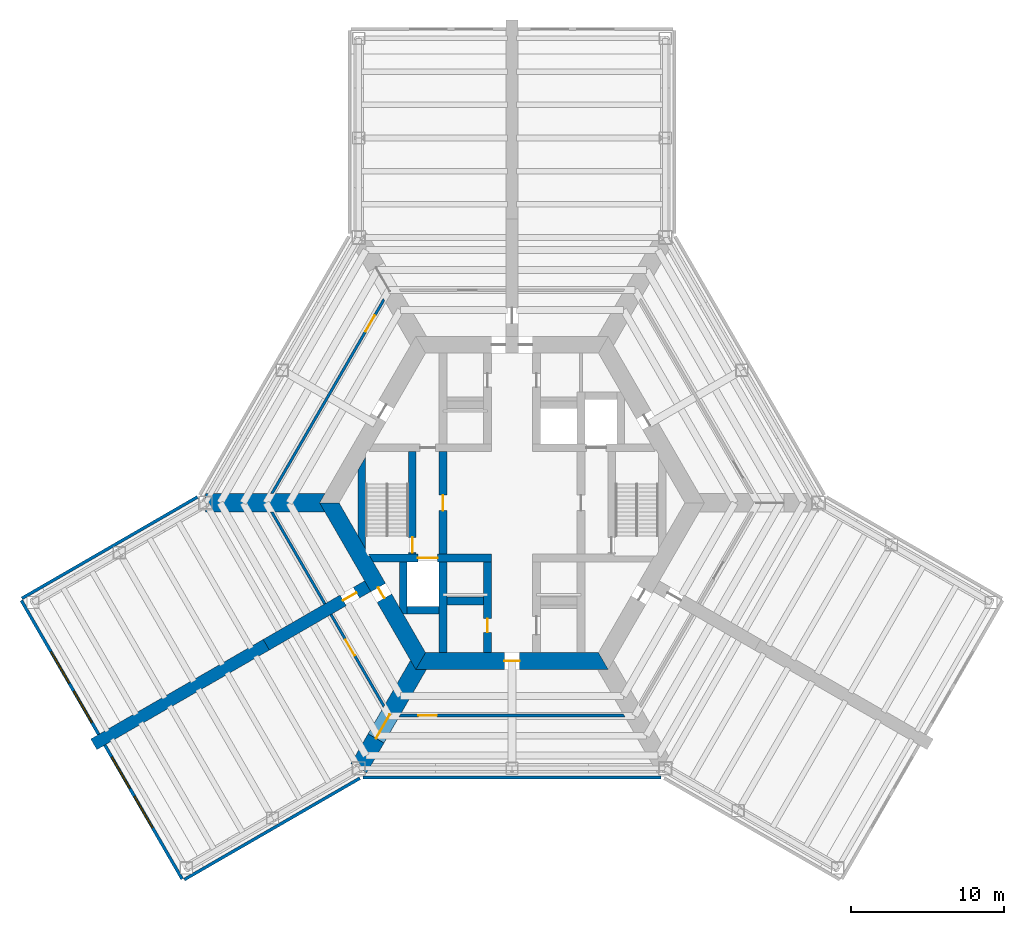
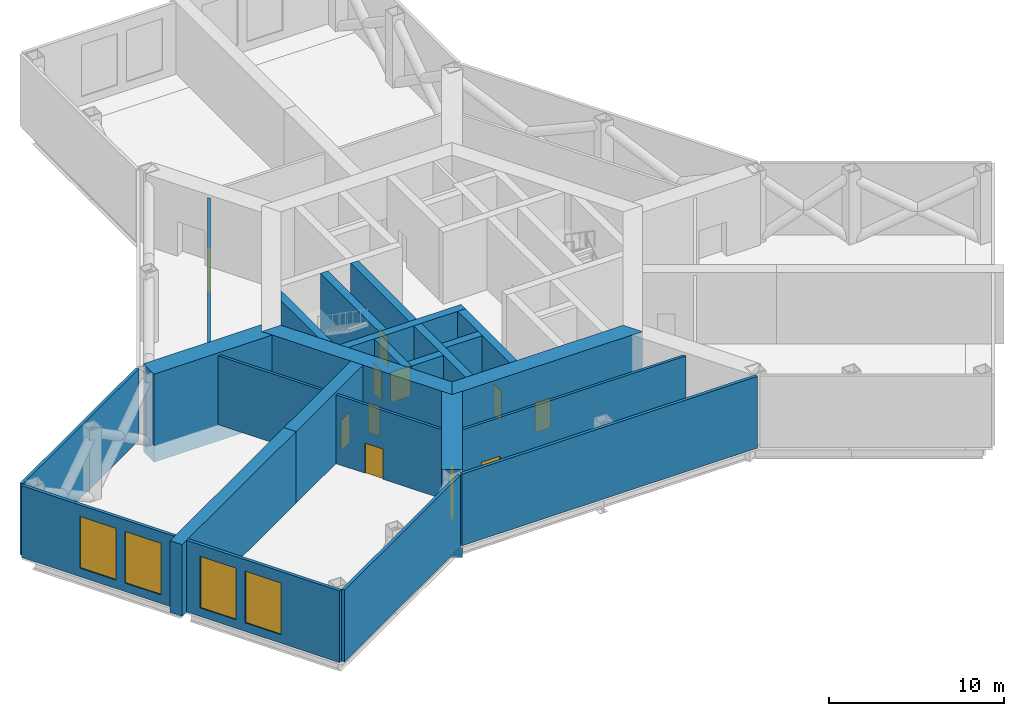
# One storey, part 4 of 8: 24 walls, 11 doors, 4 windows, 15 openings.
"""IFC4 building model written with IfcOpenShell, lengths in metres."""

import ifcopenshell
import ifcopenshell.guid

model = None  # the IFC model being written
_history = None  # IfcOwnerHistory: only IFC2X3 demands one
_inside = {}  # id of a spatial element -> (the spatial element, [elements in it])
_under = {}  # id of a project, library or spatial element -> (it, [spatial elements below it])
_declared = {}  # id of a project -> (the project, [libraries it declares])
_typed = {}  # id of a type object -> (the type object, [elements of that type])
_made_of = {}  # id of a material, layer set ... -> (it, [elements and type objects made of it])


def new_model(schema):
    """Start an empty IFC model of exactly this schema.

    Asked for "IFC4X3", IfcOpenShell would pick the latest addendum, in which some entities
    have other attributes; the version numbers below select the first issue.
    IFC2X3 requires an IfcOwnerHistory on every rooted entity: one is made here for all.
    """
    global model, _history
    if schema == "IFC4X3":
        model = ifcopenshell.file(schema_version=(4, 3, 0, 0))
    else:
        model = ifcopenshell.file(schema=schema)
    _inside.clear()
    _under.clear()
    _declared.clear()
    _typed.clear()
    _made_of.clear()
    _history = None
    if model.schema == "IFC2X3":
        org = make("IfcOrganization", Name="unknown")
        user = make(
            "IfcPersonAndOrganization",
            ThePerson=make("IfcPerson", FamilyName="unknown"),
            TheOrganization=org,
        )
        app = make(
            "IfcApplication",
            ApplicationDeveloper=org,
            Version="unknown",
            ApplicationFullName="unknown",
            ApplicationIdentifier="unknown",
        )
        _history = make(
            "IfcOwnerHistory",
            OwningUser=user,
            OwningApplication=app,
            ChangeAction="ADDED",
            CreationDate=0,
        )
    return model


def make(cls, **values):
    """One entity of the class cls with the attributes given. An attribute that is None is left unset."""
    return model.create_entity(
        cls, **{name: value for name, value in values.items() if value is not None}
    )


def rooted(cls, **values):
    """An entity with a GlobalId (a new one), such as an element, a storey or a relation."""
    return make(cls, GlobalId=ifcopenshell.guid.new(), OwnerHistory=_history, **values)


def si_unit(unit_type, name, prefix=None):
    """IfcSIUnit, for example si_unit("LENGTHUNIT", "METRE", prefix="MILLI")."""
    return make("IfcSIUnit", UnitType=unit_type, Prefix=prefix, Name=name)


def assignment(units):
    """IfcUnitAssignment: the units of a project."""
    return None if units is None else make("IfcUnitAssignment", Units=units)


def point(xyz):
    """IfcCartesianPoint."""
    return None if xyz is None else make("IfcCartesianPoint", Coordinates=xyz)


def direction(xyz):
    """IfcDirection."""
    return None if xyz is None else make("IfcDirection", DirectionRatios=xyz)


def frame(location, z_axis=None, x_axis=None):
    """IfcAxis2Placement3D, a coordinate frame: its origin and axes. An axis left out is left unset."""
    return make(
        "IfcAxis2Placement3D",
        Location=point(location),
        Axis=direction(z_axis),
        RefDirection=direction(x_axis),
    )


def frame_2d(location, x_axis=None):
    """IfcAxis2Placement2D, a coordinate frame in the plane: its origin and x axis."""
    return make(
        "IfcAxis2Placement2D", Location=point(location), RefDirection=direction(x_axis)
    )


def origin():
    """The frame at (0, 0, 0) with its axes left unset."""
    return frame((0.0, 0.0, 0.0))


def place(relative_to, where):
    """IfcLocalPlacement: puts the frame where relative to a parent placement (None: the world)."""
    return make(
        "IfcLocalPlacement", PlacementRelTo=relative_to, RelativePlacement=where
    )


def context(
    kind, dimensions, precision=None, world=None, true_north=None, identifier=None
):
    """IfcGeometricRepresentationContext, for example the 3D "Model" context."""
    return make(
        "IfcGeometricRepresentationContext",
        ContextIdentifier=identifier,
        ContextType=kind,
        CoordinateSpaceDimension=dimensions,
        Precision=precision,
        WorldCoordinateSystem=world,
        TrueNorth=true_north,
    )


def subcontext(parent, identifier, kind, view, scale=None):
    """IfcGeometricRepresentationSubContext, for example "Body" below "Model"."""
    return make(
        "IfcGeometricRepresentationSubContext",
        ContextIdentifier=identifier,
        ContextType=kind,
        ParentContext=parent,
        TargetScale=scale,
        TargetView=view,
    )


def project(units=None, contexts=None):
    """IfcProject with its units and contexts."""
    return rooted(
        "IfcProject",
        Name="project",
        RepresentationContexts=contexts,
        UnitsInContext=assignment(units),
    )


def spatial(cls, under=None, at=None, **own):
    """A site, building, storey or space (cls), placed at a placement, below another one or the project."""
    s = rooted(cls, ObjectPlacement=at, **own)
    if under is not None:
        _under.setdefault(under.id(), (under, []))[1].append(s)
    return s


def polyline(points):
    """IfcPolyline through the points."""
    return make("IfcPolyline", Points=[point(p) for p in points])


def profile(cls, at=None, kind="AREA", **sizes):
    """A parametric profile (cls). Its sizes go by their IFC names, for example OverallWidth=200.0."""
    return make(cls, ProfileType=kind, Position=at, **sizes)


def rectangle(**sizes):
    """IfcRectangleProfileDef."""
    return profile("IfcRectangleProfileDef", **sizes)


def outline(outer, holes=None, kind="AREA"):
    """IfcArbitraryClosedProfileDef: a profile drawn as a closed curve; with holes, ...WithVoids."""
    if holes is None:
        return make("IfcArbitraryClosedProfileDef", ProfileType=kind, OuterCurve=outer)
    return make(
        "IfcArbitraryProfileDefWithVoids",
        ProfileType=kind,
        OuterCurve=outer,
        InnerCurves=holes,
    )


def extrude(swept, where, along, depth):
    """IfcExtrudedAreaSolid: the profile swept, set in the frame where, extruded along a direction by depth."""
    return make(
        "IfcExtrudedAreaSolid",
        SweptArea=swept,
        Position=where,
        ExtrudedDirection=direction(along),
        Depth=depth,
    )


def shape(context_of_items, identifier, shape_type, items):
    """IfcShapeRepresentation: the items that make up one representation, for example the "Body"."""
    return make(
        "IfcShapeRepresentation",
        ContextOfItems=context_of_items,
        RepresentationIdentifier=identifier,
        RepresentationType=shape_type,
        Items=items,
    )


def material(Name=None, Category=None):
    """IfcMaterial."""
    return make("IfcMaterial", Name=Name, Category=Category)


def layer(
    of_material, thickness, ventilated=None, Name=None, Category=None, Priority=None
):
    """IfcMaterialLayer: one layer of a wall or slab, of a material (None: an air gap)."""
    return make(
        "IfcMaterialLayer",
        Material=of_material,
        LayerThickness=thickness,
        IsVentilated=ventilated,
        Name=Name,
        Category=Category,
        Priority=Priority,
    )


def layer_set(layers, Name=None):
    """IfcMaterialLayerSet."""
    return make("IfcMaterialLayerSet", MaterialLayers=layers, LayerSetName=Name)


def made_of(thing, what):
    """Note that an element or type object is made of a material, layer set ...; save() writes the relation."""
    if what is not None:
        _made_of.setdefault(what.id(), (what, []))[1].append(thing)
    return thing


def type_object(cls, material=None, **own):
    """A type object (cls), such as IfcWallType, which elements share."""
    return made_of(rooted(cls, **own), material)


def element(
    cls,
    number,
    at=None,
    inside=None,
    cuts=None,
    type_object=None,
    material=None,
    context=None,
    identifier="Body",
    shape_type=None,
    held_by="IfcProductDefinitionShape",
    body=None,
    shapes=None,
    **own,
):
    """One element of the class cls, such as IfcWall. Its Tag is "e" and its number.

    at: its placement. inside: the storey or other place that contains it. cuts: it is an
    opening in that element (IfcRelVoidsElement). A single representation is given by context,
    identifier, shape_type and body (its items); several are given by shapes. held_by: the class
    of the entity that holds the representations. save() writes the other relations.
    """
    e = rooted(cls, Tag="e%d" % number, ObjectPlacement=at, **own)
    if body is not None:
        shapes = [shape(context, identifier, shape_type, body)]
    if shapes is not None:
        e.Representation = make(held_by, Representations=shapes)
    if inside is not None:
        _inside.setdefault(inside.id(), (inside, []))[1].append(e)
    if cuts is not None:
        rooted(
            "IfcRelVoidsElement", RelatingBuildingElement=cuts, RelatedOpeningElement=e
        )
    if type_object is not None:
        _typed.setdefault(type_object.id(), (type_object, []))[1].append(e)
    return made_of(e, material)


def fill(opening, filler):
    """IfcRelFillsElement: the door or window that sits in an opening."""
    return rooted(
        "IfcRelFillsElement",
        RelatingOpeningElement=opening,
        RelatedBuildingElement=filler,
    )


def aggregate(whole, parts):
    """IfcRelAggregates: a whole, such as a stair, and the parts it consists of."""
    return rooted("IfcRelAggregates", RelatingObject=whole, RelatedObjects=parts)


def save(model, path):
    """Write the relations noted so far, then the file.

    IfcRelAggregates (storeys below a building ...), IfcRelContainedInSpatialStructure (elements
    in a storey), IfcRelDefinesByType, IfcRelAssociatesMaterial and IfcRelDeclares: one each for
    every whole, place, type object, material and project.
    """
    for whole, parts in _under.values():
        aggregate(whole, parts)
    for where, things in _inside.values():
        rooted(
            "IfcRelContainedInSpatialStructure",
            RelatedElements=things,
            RelatingStructure=where,
        )
    for kind, things in _typed.values():
        rooted("IfcRelDefinesByType", RelatedObjects=things, RelatingType=kind)
    for what, things in _made_of.values():
        rooted("IfcRelAssociatesMaterial", RelatedObjects=things, RelatingMaterial=what)
    for by, libraries in _declared.values():
        rooted("IfcRelDeclares", RelatingContext=by, RelatedDefinitions=libraries)
    model.write(path)


model = new_model("IFC4")

# Units and contexts
model_context = context("Model", 3, precision=1e-05, world=origin(), true_north=direction((0.0, 1.0)))
body_context = subcontext(model_context, "Body", "Model", "MODEL_VIEW")
ifc_project = project(units=[si_unit("LENGTHUNIT", "METRE"), si_unit("AREAUNIT", "SQUARE_METRE"), si_unit("VOLUMEUNIT", "CUBIC_METRE"), si_unit("PLANEANGLEUNIT", "RADIAN"), si_unit("MASSUNIT", "GRAM", prefix="KILO")], contexts=[model_context])

# Site, building, storey
site_placement = place(None, origin())
site = spatial("IfcSite", under=ifc_project, at=site_placement, CompositionType="ELEMENT")
building_placement = place(site_placement, origin())
building = spatial("IfcBuilding", under=site, at=building_placement, Name="Kasaneha Research Tower", CompositionType="ELEMENT")
storey_placement = place(building_placement, frame((0.0, 0.0, 123.60009765625)))
storey = spatial("IfcBuildingStorey", under=building, at=storey_placement, Name="L31", CompositionType="ELEMENT", Elevation=123.60009765625)

# Wall, opening, door
ifc_material_1 = material(Name="Concrete Fc80", Category="concrete")
ifc_layer_1 = layer(ifc_material_1, 0.5)
ifc_layer_set_1 = layer_set([ifc_layer_1], Name="Core internal wall 500 Fc80")
wall_type_1 = type_object("IfcWallType", Name="Core internal wall 500 Fc80", PredefinedType="SHEAR", material=ifc_layer_set_1)
wall_1_placement = place(storey_placement, frame((-9.208740234375, -3.60009765625, 0.0), z_axis=(0.0, 0.0, 1.0), x_axis=(1.0, 0.0, 0.0)))
wall_1 = element("IfcWall", 1, at=wall_1_placement, inside=storey, type_object=wall_type_1, Name="Core wall W2W L31", PredefinedType="SHEAR", context=body_context, shape_type="SweptSolid", body=[
    extrude(outline(polyline([(0.144287109375, -0.25), (3.058837890625, -0.25), (4.35888671875, -0.25), (7.858642578125, -0.25), (7.858642578125, 0.25), (4.35888671875, 0.25), (3.058837890625, 0.25), (-0.144287109375, 0.25), (0.144287109375, -0.25)])), origin(), (0.0, 0.0, 1.0), 5.0),
])
opening_1_placement = place(wall_1_placement, frame((3.058837890625, 0.0, 0.0)))
opening_1 = element("IfcOpeningElement", 2, at=opening_1_placement, cuts=wall_1, Name="Opening LD-FL2-L31", PredefinedType="OPENING", context=body_context, shape_type="SweptSolid", body=[
    extrude(rectangle(XDim=1.300048828125, YDim=2.10009765625, at=frame_2d((0.64990234375, 1.050048828125))), frame((0.0, 0.260009765625, 0.0), z_axis=(0.0, -1.0, 0.0), x_axis=(1.0, 0.0, 0.0)), (0.0, 0.0, 1.0), 0.52001953125),
])
ifc_material_2 = material(Name="Steel", Category="steel")
door_type_1 = type_object("IfcDoorType", Name="Lift landing door 1300x2100", OperationType="DOUBLE_DOOR_SLIDING", PredefinedType="DOOR", material=ifc_material_2)
door_1_placement = place(opening_1_placement, origin())
door_1 = element("IfcDoor", 3, at=door_1_placement, inside=storey, type_object=door_type_1, Name="Landing door FL2 LD-FL2-L31", OperationType="DOUBLE_DOOR_SLIDING", OverallHeight=2.10009765625, OverallWidth=1.300048828125, PredefinedType="DOOR", context=body_context, shape_type="SweptSolid", body=[
    extrude(rectangle(XDim=1.300048828125, YDim=2.10009765625, at=frame_2d((0.64990234375, 1.050048828125))), frame((0.0, 0.02490234375, 0.0), z_axis=(0.0, -1.0, 0.0), x_axis=(1.0, 0.0, 0.0)), (0.0, 0.0, 1.0), 0.050048828125),
])
fill(opening_1, door_1)

wall_2_placement = place(storey_placement, frame((-1.60009765625, -3.85009765625, 0.0), z_axis=(0.0, 0.0, 1.0), x_axis=(0.0, -1.0, 0.0)))
wall_2 = element("IfcWall", 4, at=wall_2_placement, inside=storey, type_object=wall_type_1, Name="Core wall CSW L31", PredefinedType="SHEAR", context=body_context, shape_type="SweptSolid", body=[
    extrude(rectangle(XDim=5.9248046875, YDim=0.5, at=frame_2d((2.96240234375, 0.0))), origin(), (0.0, 0.0, 1.0), 5.0),
])
opening_2_placement = place(wall_2_placement, frame((3.699951171875, 0.0, 0.0)))
opening_2 = element("IfcOpeningElement", 5, at=opening_2_placement, cuts=wall_2, Name="Opening L31-D16", PredefinedType="OPENING", context=body_context, shape_type="SweptSolid", body=[
    extrude(rectangle(XDim=0.89990234375, YDim=2.10009765625, at=frame_2d((0.449951171875, 1.050048828125))), frame((0.0, 0.260009765625, 0.0), z_axis=(0.0, -1.0, 0.0), x_axis=(1.0, 0.0, 0.0)), (0.0, 0.0, 1.0), 0.52001953125),
])
ifc_material_3 = material(Name="Steel", Category="steel")
door_type_2 = type_object("IfcDoorType", Name="Riser access door FD60 900x2100", OperationType="NOTDEFINED", PredefinedType="DOOR", material=ifc_material_3)
door_2_placement = place(opening_2_placement, origin())
door_2 = element("IfcDoor", 6, at=door_2_placement, inside=storey, type_object=door_type_2, Name="Electrical riser door L31-D16", OperationType="SINGLE_SWING_LEFT", OverallHeight=2.10009765625, OverallWidth=0.89990234375, PredefinedType="DOOR", context=body_context, shape_type="SweptSolid", body=[
    extrude(rectangle(XDim=0.89990234375, YDim=2.10009765625, at=frame_2d((0.449951171875, 1.050048828125))), frame((0.0, 0.02490234375, 0.0), z_axis=(0.0, -1.0, 0.0), x_axis=(1.0, 0.0, 0.0)), (0.0, 0.0, 1.0), 0.050048828125),
])
fill(opening_2, door_2)

wall_3_placement = place(storey_placement, frame((-4.5, -3.35009765625, 0.0), z_axis=(0.0, 0.0, 1.0), x_axis=(0.0, 1.0, 0.0)))
wall_3 = element("IfcWall", 7, at=wall_3_placement, inside=storey, type_object=wall_type_1, Name="Core wall LBW L31", PredefinedType="SHEAR", context=body_context, shape_type="SweptSolid", body=[
    extrude(rectangle(XDim=6.7001953125, YDim=0.5, at=frame_2d((3.35009765625, 0.0))), origin(), (0.0, 0.0, 1.0), 5.0),
])
opening_3_placement = place(wall_3_placement, frame((2.85009765625, 0.0, 0.0)))
opening_3 = element("IfcOpeningElement", 8, at=opening_3_placement, cuts=wall_3, Name="Opening L31-D09", PredefinedType="OPENING", context=body_context, shape_type="SweptSolid", body=[
    extrude(rectangle(XDim=1.0, YDim=2.10009765625, at=frame_2d((0.5, 1.050048828125))), frame((0.0, 0.260009765625, 0.0), z_axis=(0.0, -1.0, 0.0), x_axis=(1.0, 0.0, 0.0)), (0.0, 0.0, 1.0), 0.52001953125),
])
ifc_material_4 = material(Name="Steel", Category="steel")
door_type_3 = type_object("IfcDoorType", Name="Specified fire door FD60 1000x2100", OperationType="NOTDEFINED", PredefinedType="DOOR", material=ifc_material_4)
door_3_placement = place(opening_3_placement, origin())
door_3 = element("IfcDoor", 9, at=door_3_placement, inside=storey, type_object=door_type_3, Name="Lift lobby door west L31-D09", OperationType="SINGLE_SWING_LEFT", OverallHeight=2.10009765625, OverallWidth=1.0, PredefinedType="DOOR", context=body_context, shape_type="SweptSolid", body=[
    extrude(rectangle(XDim=1.0, YDim=2.10009765625, at=frame_2d((0.5, 1.050048828125))), frame((0.0, 0.02490234375, 0.0), z_axis=(0.0, -1.0, 0.0), x_axis=(1.0, 0.0, 0.0)), (0.0, 0.0, 1.0), 0.050048828125),
])
fill(opening_3, door_3)

wall_4_placement = place(storey_placement, frame((-6.5, -3.35009765625, 0.0), z_axis=(0.0, 0.0, 1.0), x_axis=(0.0, 1.0, 0.0)))
wall_4 = element("IfcWall", 10, at=wall_4_placement, inside=storey, type_object=wall_type_1, Name="Core wall ANW L31", PredefinedType="SHEAR", context=body_context, shape_type="SweptSolid", body=[
    extrude(rectangle(XDim=6.7001953125, YDim=0.5, at=frame_2d((3.35009765625, 0.0))), origin(), (0.0, 0.0, 1.0), 5.0),
])
opening_4_placement = place(wall_4_placement, frame((0.10009765625, 0.0, 0.0)))
opening_4 = element("IfcOpeningElement", 11, at=opening_4_placement, cuts=wall_4, Name="Opening L31-D11", PredefinedType="OPENING", context=body_context, shape_type="SweptSolid", body=[
    extrude(rectangle(XDim=1.0, YDim=2.10009765625, at=frame_2d((0.5, 1.050048828125))), frame((0.0, 0.260009765625, 0.0), z_axis=(0.0, -1.0, 0.0), x_axis=(1.0, 0.0, 0.0)), (0.0, 0.0, 1.0), 0.52001953125),
])
door_4_placement = place(opening_4_placement, origin())
door_4 = element("IfcDoor", 12, at=door_4_placement, inside=storey, type_object=door_type_3, Name="Stair 2 door L31-D11", OperationType="SINGLE_SWING_LEFT", OverallHeight=2.10009765625, OverallWidth=1.0, PredefinedType="DOOR", context=body_context, shape_type="SweptSolid", body=[
    extrude(rectangle(XDim=1.0, YDim=2.10009765625, at=frame_2d((0.5, 1.050048828125))), frame((0.0, 0.02490234375, 0.0), z_axis=(0.0, -1.0, 0.0), x_axis=(1.0, 0.0, 0.0)), (0.0, 0.0, 1.0), 0.050048828125),
])
fill(opening_4, door_4)

# Walls
wall_5_placement = place(storey_placement, frame((-4.5, -3.85009765625, 0.0), z_axis=(0.0, 0.0, 1.0), x_axis=(0.0, -1.0, 0.0)))
element("IfcWall", 13, at=wall_5_placement, inside=storey, type_object=wall_type_1, Name="Core wall SSW L31", PredefinedType="SHEAR", context=body_context, shape_type="SweptSolid", body=[
    extrude(rectangle(XDim=5.9248046875, YDim=0.5, at=frame_2d((2.96240234375, 0.0))), origin(), (0.0, 0.0, 1.0), 5.0),
])
wall_6_placement = place(storey_placement, frame((-4.25, -6.39990234375, 0.0), z_axis=(0.0, 0.0, 1.0), x_axis=(1.0, 0.0, 0.0)))
element("IfcWall", 14, at=wall_6_placement, inside=storey, type_object=wall_type_1, Name="Core wall S1S L31", PredefinedType="SHEAR", context=body_context, shape_type="SweptSolid", body=[
    extrude(rectangle(XDim=2.39990234375, YDim=0.5, at=frame_2d((1.199951171875, 0.0))), origin(), (0.0, 0.0, 1.0), 5.0),
])
wall_7_placement = place(storey_placement, frame((-6.85009765625, -7.0, 0.0), z_axis=(0.0, 0.0, 1.0), x_axis=(1.0, 0.0, 0.0)))
element("IfcWall", 15, at=wall_7_placement, inside=storey, type_object=wall_type_1, Name="Core wall F2S L31", PredefinedType="SHEAR", context=body_context, shape_type="SweptSolid", body=[
    extrude(rectangle(XDim=2.10009765625, YDim=0.5, at=frame_2d((1.050048828125, 0.0))), origin(), (0.0, 0.0, 1.0), 5.0),
])
wall_8_placement = place(storey_placement, frame((-7.10009765625, -3.85009765625, 0.0), z_axis=(0.0, 0.0, 1.0), x_axis=(0.0, -1.0, 0.0)))
element("IfcWall", 16, at=wall_8_placement, inside=storey, type_object=wall_type_1, Name="Core wall F2W L31", PredefinedType="SHEAR", context=body_context, shape_type="SweptSolid", body=[
    extrude(outline(polyline([(0.0, -0.25), (2.96923828125, -0.25), (3.39990234375, 0.0), (3.39990234375, 0.25), (0.0, 0.25), (0.0, -0.25)])), origin(), (0.0, 0.0, 1.0), 5.0),
])
wall_9_placement = place(storey_placement, frame((-9.807861328125, -2.562255859375, 0.0), z_axis=(0.0, 0.0, 1.0), x_axis=(0.0, 1.0, 0.0)))
element("IfcWall", 17, at=wall_9_placement, inside=storey, type_object=wall_type_1, Name="Core wall STW L31", PredefinedType="SHEAR", context=body_context, shape_type="SweptSolid", body=[
    extrude(outline(polyline([(-0.43310546875, -0.25), (5.5576171875, -0.25), (4.69140625, 0.25), (0.43310546875, 0.25), (-0.43310546875, -0.25)])), origin(), (0.0, 0.0, 1.0), 5.0),
])

# Wall, opening, door
ifc_material_5 = material(Name="Concrete Fc80", Category="concrete")
ifc_layer_2 = layer(ifc_material_5, 1.10009765625)
ifc_layer_set_2 = layer_set([ifc_layer_2], Name="Core wall 1100 Fc80")
wall_type_2 = type_object("IfcWallType", Name="Core wall 1100 Fc80", PredefinedType="SHEAR", material=ifc_layer_set_2)
wall_10_placement = place(storey_placement, frame((-11.92236328125, 0.0, 0.0), z_axis=(0.0, 0.0, 1.0), x_axis=(0.500004296715, -0.866022923061, 0.0)))
wall_10 = element("IfcWall", 18, at=wall_10_placement, inside=storey, type_object=wall_type_2, Name="Core wall 210 L31", PredefinedType="SHEAR", context=body_context, shape_type="SweptSolid", body=[
    extrude(outline(polyline([(-0.317626953125, -0.550048828125), (6.381103515625, -0.550048828125), (7.18115234375, -0.550048828125), (12.239990234375, -0.550048828125), (11.604736328125, 0.550048828125), (7.18115234375, 0.550048828125), (6.381103515625, 0.550048828125), (0.317626953125, 0.550048828125), (-0.317626953125, -0.550048828125)])), origin(), (0.0, 0.0, 1.0), 5.0),
])
opening_5_placement = place(wall_10_placement, frame((6.381103515625, 0.0, 0.0)))
opening_5 = element("IfcOpeningElement", 19, at=opening_5_placement, cuts=wall_10, Name="Opening L31-D06", PredefinedType="OPENING", context=body_context, shape_type="SweptSolid", body=[
    extrude(rectangle(XDim=0.800048828125, YDim=2.10009765625, at=frame_2d((0.39990234375, 1.050048828125))), frame((0.0, 0.56005859375, 0.0), z_axis=(0.0, -1.0, 0.0), x_axis=(1.0, 0.0, 0.0)), (0.0, 0.0, 1.0), 1.1201171875),
])
ifc_material_6 = material(Name="Steel", Category="steel")
door_type_4 = type_object("IfcDoorType", Name="Riser access door FD60 800x2100", OperationType="NOTDEFINED", PredefinedType="DOOR", material=ifc_material_6)
door_5_placement = place(opening_5_placement, origin())
door_5 = element("IfcDoor", 20, at=door_5_placement, inside=storey, type_object=door_type_4, Name="Duct riser door L31-D06", OperationType="SINGLE_SWING_RIGHT", OverallHeight=2.10009765625, OverallWidth=0.800048828125, PredefinedType="DOOR", context=body_context, shape_type="SweptSolid", body=[
    extrude(rectangle(XDim=0.800048828125, YDim=2.10009765625, at=frame_2d((0.39990234375, 1.050048828125))), frame((0.0, 0.02490234375, 0.0), z_axis=(0.0, -1.0, 0.0), x_axis=(1.0, 0.0, 0.0)), (0.0, 0.0, 1.0), 0.050048828125),
])
fill(opening_5, door_5)

wall_11_placement = place(storey_placement, frame((-5.961181640625, -10.324951171875, 0.0), z_axis=(0.0, 0.0, 1.0), x_axis=(1.0, 0.0, 0.0)))
wall_11 = element("IfcWall", 21, at=wall_11_placement, inside=storey, type_object=wall_type_2, Name="Core wall 270 L31", PredefinedType="SHEAR", context=body_context, shape_type="SweptSolid", body=[
    extrude(outline(polyline([(-0.317626953125, -0.550048828125), (5.461181640625, -0.550048828125), (6.461181640625, -0.550048828125), (12.239990234375, -0.550048828125), (11.604736328125, 0.550048828125), (6.461181640625, 0.550048828125), (5.461181640625, 0.550048828125), (0.317626953125, 0.550048828125), (-0.317626953125, -0.550048828125)])), origin(), (0.0, 0.0, 1.0), 5.0),
])
opening_6_placement = place(wall_11_placement, frame((5.461181640625, 0.0, 0.0)))
opening_6 = element("IfcOpeningElement", 22, at=opening_6_placement, cuts=wall_11, Name="Opening L31-D03", PredefinedType="OPENING", context=body_context, shape_type="SweptSolid", body=[
    extrude(rectangle(XDim=1.0, YDim=2.10009765625, at=frame_2d((0.5, 1.050048828125))), frame((0.0, 0.56005859375, 0.0), z_axis=(0.0, -1.0, 0.0), x_axis=(1.0, 0.0, 0.0)), (0.0, 0.0, 1.0), 1.1201171875),
])
ifc_material_7 = material(Name="Steel", Category="steel")
door_type_5 = type_object("IfcDoorType", Name="Fire door FD20 1000x2100", OperationType="NOTDEFINED", PredefinedType="DOOR", material=ifc_material_7)
door_6_placement = place(opening_6_placement, origin())
door_6 = element("IfcDoor", 23, at=door_6_placement, inside=storey, type_object=door_type_5, Name="Core door south L31-D03", OperationType="SINGLE_SWING_LEFT", OverallHeight=2.10009765625, OverallWidth=1.0, PredefinedType="DOOR", context=body_context, shape_type="SweptSolid", body=[
    extrude(rectangle(XDim=1.0, YDim=2.10009765625, at=frame_2d((0.5, 1.050048828125))), frame((0.0, 0.02490234375, 0.0), z_axis=(0.0, -1.0, 0.0), x_axis=(1.0, 0.0, 0.0)), (0.0, 0.0, 1.0), 0.050048828125),
])
fill(opening_6, door_6)

# Walls
ifc_material_8 = material(Name="Terracotta cladding on steel frame", Category="masonry")
ifc_layer_3 = layer(ifc_material_8, 0.199951171875)
ifc_layer_set_3 = layer_set([ifc_layer_3], Name="Louvred plant wall 200")
wall_type_3 = type_object("IfcWallType", Name="Louvred plant wall 200", PredefinedType="ELEMENTEDWALL", material=ifc_layer_set_3)
wall_12_placement = place(storey_placement, frame((-21.391357421875, -24.590087890625, 0.0), z_axis=(0.0, 0.0, 1.0), x_axis=(0.86602620781, 0.499998607384, 0.0)))
element("IfcWall", 24, at=wall_12_placement, inside=storey, type_object=wall_type_3, Name="Louvred plant wall L31", PredefinedType="ELEMENTEDWALL", context=body_context, shape_type="SweptSolid", body=[
    extrude(rectangle(XDim=13.2392578125, YDim=0.199951171875, at=frame_2d((6.61962890625, 0.0))), origin(), (0.0, 0.0, 1.0), 5.0),
])
wall_13_placement = place(storey_placement, frame((-9.7392578125, -17.92041015625, 0.0), z_axis=(0.0, 0.0, 1.0), x_axis=(1.0, 0.0, 0.0)))
element("IfcWall", 25, at=wall_13_placement, inside=storey, type_object=wall_type_3, Name="Louvred plant wall L31", PredefinedType="ELEMENTEDWALL", context=body_context, shape_type="SweptSolid", body=[
    extrude(rectangle(XDim=19.478515625, YDim=0.199951171875, at=frame_2d((9.7392578125, 0.0))), origin(), (0.0, 0.0, 1.0), 5.0),
])
wall_14_placement = place(storey_placement, frame((-20.52587890625, 0.38916015625, 0.0), z_axis=(0.0, 0.0, 1.0), x_axis=(-0.86602620781, -0.499998607384, 0.0)))
element("IfcWall", 26, at=wall_14_placement, inside=storey, type_object=wall_type_3, Name="Louvred plant wall L31", PredefinedType="ELEMENTEDWALL", context=body_context, shape_type="SweptSolid", body=[
    extrude(rectangle(XDim=13.2392578125, YDim=0.199951171875, at=frame_2d((6.61962890625, 0.0))), origin(), (0.0, 0.0, 1.0), 5.0),
])

# Wall, openings, windows
wall_15_placement = place(storey_placement, frame((-32.02783203125, -6.366943359375, 0.0), z_axis=(0.0, 0.0, 1.0), x_axis=(0.499986799974, -0.866033024689, 0.0)))
wall_15 = element("IfcWall", 27, at=wall_15_placement, inside=storey, type_object=wall_type_3, Name="Louvred plant wall L31", PredefinedType="ELEMENTEDWALL", context=body_context, shape_type="SweptSolid", body=[
    extrude(rectangle(XDim=10.099853515625, YDim=0.199951171875, at=frame_2d((5.0498046875, 0.0))), origin(), (0.0, 0.0, 1.0), 5.0),
])
opening_7_placement = place(wall_15_placement, frame((3.86669921875, 0.0, 0.60009765625)))
opening_7 = element("IfcOpeningElement", 28, at=opening_7_placement, cuts=wall_15, Name="Opening LV2", PredefinedType="OPENING", context=body_context, shape_type="SweptSolid", body=[
    extrude(rectangle(XDim=2.36669921875, YDim=3.60009765625, at=frame_2d((1.183349609375, 1.800048828125))), frame((0.0, 0.10986328125, 0.0), z_axis=(0.0, -1.0, 0.0), x_axis=(1.0, 0.0, 0.0)), (0.0, 0.0, 1.0), 0.219970703125),
])
opening_8_placement = place(wall_15_placement, frame((6.833251953125, 0.0, 0.60009765625)))
opening_8 = element("IfcOpeningElement", 29, at=opening_8_placement, cuts=wall_15, Name="Opening LV2", PredefinedType="OPENING", context=body_context, shape_type="SweptSolid", body=[
    extrude(rectangle(XDim=2.36669921875, YDim=3.60009765625, at=frame_2d((1.183349609375, 1.800048828125))), frame((0.0, 0.10986328125, 0.0), z_axis=(0.0, -1.0, 0.0), x_axis=(1.0, 0.0, 0.0)), (0.0, 0.0, 1.0), 0.219970703125),
])
ifc_material_9 = material(Name="Aluminium 6063-T6", Category="aluminium")
window_type = type_object("IfcWindowType", Name="Louvre 2367x3600", PartitioningType="SINGLE_PANEL", PredefinedType="USERDEFINED", material=ifc_material_9)
window_1_placement = place(opening_7_placement, origin())
window_1 = element("IfcWindow", 30, at=window_1_placement, inside=storey, type_object=window_type, Name="Plant louvre L31 2", ObjectType="LOUVRE", OverallHeight=3.60009765625, OverallWidth=2.36669921875, PartitioningType="SINGLE_PANEL", PredefinedType="USERDEFINED", context=body_context, shape_type="SweptSolid", body=[
    extrude(rectangle(XDim=2.36669921875, YDim=3.60009765625, at=frame_2d((1.183349609375, 1.800048828125))), frame((0.0, 0.030029296875, 0.0), z_axis=(0.0, -1.0, 0.0), x_axis=(1.0, 0.0, 0.0)), (0.0, 0.0, 1.0), 0.06005859375),
])
fill(opening_7, window_1)
window_2_placement = place(opening_8_placement, origin())
window_2 = element("IfcWindow", 31, at=window_2_placement, inside=storey, type_object=window_type, Name="Plant louvre L31 3", ObjectType="LOUVRE", OverallHeight=3.60009765625, OverallWidth=2.36669921875, PartitioningType="SINGLE_PANEL", PredefinedType="USERDEFINED", context=body_context, shape_type="SweptSolid", body=[
    extrude(rectangle(XDim=2.36669921875, YDim=3.60009765625, at=frame_2d((1.183349609375, 1.800048828125))), frame((0.0, 0.030029296875, 0.0), z_axis=(0.0, -1.0, 0.0), x_axis=(1.0, 0.0, 0.0)), (0.0, 0.0, 1.0), 0.06005859375),
])
fill(opening_8, window_2)

wall_16_placement = place(storey_placement, frame((-26.577880859375, -15.806640625, 0.0), z_axis=(0.0, 0.0, 1.0), x_axis=(0.500004929441, -0.866022557752, 0.0)))
wall_16 = element("IfcWall", 32, at=wall_16_placement, inside=storey, type_object=wall_type_3, Name="Louvred plant wall L31", PredefinedType="ELEMENTEDWALL", context=body_context, shape_type="SweptSolid", body=[
    extrude(rectangle(XDim=10.10009765625, YDim=0.199951171875, at=frame_2d((5.050048828125, 0.0))), origin(), (0.0, 0.0, 1.0), 5.0),
])
opening_9_placement = place(wall_16_placement, frame((0.89990234375, 0.0, 0.60009765625)))
opening_9 = element("IfcOpeningElement", 33, at=opening_9_placement, cuts=wall_16, Name="Opening LV2", PredefinedType="OPENING", context=body_context, shape_type="SweptSolid", body=[
    extrude(rectangle(XDim=2.36669921875, YDim=3.60009765625, at=frame_2d((1.183349609375, 1.800048828125))), frame((0.0, 0.10986328125, 0.0), z_axis=(0.0, -1.0, 0.0), x_axis=(1.0, 0.0, 0.0)), (0.0, 0.0, 1.0), 0.219970703125),
])
opening_10_placement = place(wall_16_placement, frame((3.86669921875, 0.0, 0.60009765625)))
opening_10 = element("IfcOpeningElement", 34, at=opening_10_placement, cuts=wall_16, Name="Opening LV2", PredefinedType="OPENING", context=body_context, shape_type="SweptSolid", body=[
    extrude(rectangle(XDim=2.36669921875, YDim=3.60009765625, at=frame_2d((1.183349609375, 1.800048828125))), frame((0.0, 0.10986328125, 0.0), z_axis=(0.0, -1.0, 0.0), x_axis=(1.0, 0.0, 0.0)), (0.0, 0.0, 1.0), 0.219970703125),
])
window_3_placement = place(opening_9_placement, origin())
window_3 = element("IfcWindow", 35, at=window_3_placement, inside=storey, type_object=window_type, Name="Plant louvre L31 1", ObjectType="LOUVRE", OverallHeight=3.60009765625, OverallWidth=2.36669921875, PartitioningType="SINGLE_PANEL", PredefinedType="USERDEFINED", context=body_context, shape_type="SweptSolid", body=[
    extrude(rectangle(XDim=2.36669921875, YDim=3.60009765625, at=frame_2d((1.183349609375, 1.800048828125))), frame((0.0, 0.030029296875, 0.0), z_axis=(0.0, -1.0, 0.0), x_axis=(1.0, 0.0, 0.0)), (0.0, 0.0, 1.0), 0.06005859375),
])
fill(opening_9, window_3)
window_4_placement = place(opening_10_placement, origin())
window_4 = element("IfcWindow", 36, at=window_4_placement, inside=storey, type_object=window_type, Name="Plant louvre L31 2", ObjectType="LOUVRE", OverallHeight=3.60009765625, OverallWidth=2.36669921875, PartitioningType="SINGLE_PANEL", PredefinedType="USERDEFINED", context=body_context, shape_type="SweptSolid", body=[
    extrude(rectangle(XDim=2.36669921875, YDim=3.60009765625, at=frame_2d((1.183349609375, 1.800048828125))), frame((0.0, 0.030029296875, 0.0), z_axis=(0.0, -1.0, 0.0), x_axis=(1.0, 0.0, 0.0)), (0.0, 0.0, 1.0), 0.06005859375),
])
fill(opening_10, window_4)

# Wall
ifc_material_10 = material(Name="Concrete Fc80", Category="concrete")
ifc_layer_4 = layer(ifc_material_10, 1.199951171875)
ifc_layer_set_4 = layer_set([ifc_layer_4], Name="Outrigger wall 1200 Fc80")
wall_type_4 = type_object("IfcWallType", Name="Outrigger wall 1200 Fc80", PredefinedType="SHEAR", material=ifc_layer_set_4)
wall_17_placement = place(storey_placement, frame((-12.557373046875, 0.0, -1.150146484375), z_axis=(0.0, 0.0, 1.0), x_axis=(-1.0, 0.0, 0.0)))
element("IfcWall", 37, at=wall_17_placement, inside=storey, type_object=wall_type_4, Name="Outrigger wall 180 L31", PredefinedType="SHEAR", context=body_context, shape_type="SweptSolid", body=[
    extrude(outline(polyline([(-0.346435546875, -0.60009765625), (7.442626953125, -0.60009765625), (7.442626953125, 0.60009765625), (-0.346435546875, 0.60009765625), (0.0, 0.0), (-0.346435546875, -0.60009765625)])), origin(), (0.0, 0.0, 1.0), 6.150146484375),
])

# Wall, opening, door
wall_18_placement = place(storey_placement, frame((-6.278564453125, -10.875, -1.150146484375), z_axis=(0.0, 0.0, 1.0), x_axis=(-0.50000923905, -0.866020069551, 0.0)))
wall_18 = element("IfcWall", 38, at=wall_18_placement, inside=storey, type_object=wall_type_4, Name="Outrigger wall 240 L31", PredefinedType="SHEAR", context=body_context, shape_type="SweptSolid", body=[
    extrude(outline(polyline([(-0.346435546875, -0.60009765625), (3.395263671875, -0.60009765625), (5.1953125, -0.60009765625), (7.442626953125, -0.60009765625), (7.442626953125, 0.60009765625), (5.1953125, 0.60009765625), (3.395263671875, 0.60009765625), (-0.346435546875, 0.60009765625), (0.0, 0.0), (-0.346435546875, -0.60009765625)])), origin(), (0.0, 0.0, 1.0), 6.150146484375),
])
opening_11_placement = place(wall_18_placement, frame((3.395263671875, 0.0, 1.14990234375)))
opening_11 = element("IfcOpeningElement", 39, at=opening_11_placement, cuts=wall_18, Name="Opening L31-D22", PredefinedType="OPENING", context=body_context, shape_type="SweptSolid", body=[
    extrude(rectangle(XDim=1.800048828125, YDim=2.39990234375, at=frame_2d((0.89990234375, 1.199951171875))), frame((0.0, 0.60986328125, 0.0), z_axis=(0.0, -1.0, 0.0), x_axis=(1.0, 0.0, 0.0)), (0.0, 0.0, 1.0), 1.219970703125),
])
ifc_material_11 = material(Name="Steel", Category="steel")
door_type_6 = type_object("IfcDoorType", Name="Plant room double door FD60 1800x2400", OperationType="DOUBLE_DOOR_SINGLE_SWING", PredefinedType="DOOR", material=ifc_material_11)
door_7_placement = place(opening_11_placement, origin())
door_7 = element("IfcDoor", 40, at=door_7_placement, inside=storey, type_object=door_type_6, Name="Plant room door L31-D22", OperationType="DOUBLE_DOOR_SINGLE_SWING", OverallHeight=2.39990234375, OverallWidth=1.800048828125, PredefinedType="DOOR", context=body_context, shape_type="SweptSolid", body=[
    extrude(rectangle(XDim=1.800048828125, YDim=2.39990234375, at=frame_2d((0.89990234375, 1.199951171875))), frame((0.0, 0.02490234375, 0.0), z_axis=(0.0, -1.0, 0.0), x_axis=(1.0, 0.0, 0.0)), (0.0, 0.0, 1.0), 0.050048828125),
])
fill(opening_11, door_7)

ifc_material_12 = material(Name="Gypsum board on steel studs, two layers each side", Category="steel")
ifc_layer_5 = layer(ifc_material_12, 0.175048828125)
ifc_layer_set_5 = layer_set([ifc_layer_5], Name="Refuge fire partition 175")
wall_type_5 = type_object("IfcWallType", Name="Refuge fire partition 175", PredefinedType="PARTITIONING", material=ifc_layer_set_5)
wall_19_placement = place(storey_placement, frame((-8.357177734375, 13.27490234375, 0.0), z_axis=(0.0, 0.0, 1.0), x_axis=(-0.500003545903, -0.866023356546, 0.0)))
wall_19 = element("IfcWall", 41, at=wall_19_placement, inside=storey, type_object=wall_type_5, Name="Refuge fire partition RFBN01 L31", PredefinedType="PARTITIONING", context=body_context, shape_type="SweptSolid", body=[
    extrude(outline(polyline([(-0.050537109375, -0.08740234375), (1.212890625, -0.08740234375), (2.412841796875, -0.08740234375), (14.686279296875, -0.08740234375), (14.585205078125, 0.08740234375), (2.412841796875, 0.08740234375), (1.212890625, 0.08740234375), (0.050537109375, 0.08740234375), (-0.050537109375, -0.08740234375)])), origin(), (0.0, 0.0, 1.0), 4.7998046875),
])
opening_12_placement = place(wall_19_placement, frame((1.212890625, 0.0, 0.0)))
opening_12 = element("IfcOpeningElement", 42, at=opening_12_placement, cuts=wall_19, Name="Opening L31-D25", PredefinedType="OPENING", context=body_context, shape_type="SweptSolid", body=[
    extrude(rectangle(XDim=1.199951171875, YDim=2.10009765625, at=frame_2d((0.60009765625, 1.050048828125))), frame((0.0, 0.09765625, 0.0), z_axis=(0.0, -1.0, 0.0), x_axis=(1.0, 0.0, 0.0)), (0.0, 0.0, 1.0), 0.195068359375),
])
ifc_material_13 = material(Name="Steel", Category="steel")
door_type_7 = type_object("IfcDoorType", Name="Laboratory door FD60 1200x2100", OperationType="DOUBLE_DOOR_SINGLE_SWING", PredefinedType="DOOR", material=ifc_material_13)
door_8_placement = place(opening_12_placement, origin())
door_8 = element("IfcDoor", 43, at=door_8_placement, inside=storey, type_object=door_type_7, Name="Plant room door L31-D25", OperationType="DOUBLE_DOOR_SINGLE_SWING", OverallHeight=2.10009765625, OverallWidth=1.199951171875, PredefinedType="DOOR", context=body_context, shape_type="SweptSolid", body=[
    extrude(rectangle(XDim=1.199951171875, YDim=2.10009765625, at=frame_2d((0.60009765625, 1.050048828125))), frame((0.0, 0.02490234375, 0.0), z_axis=(0.0, -1.0, 0.0), x_axis=(1.0, 0.0, 0.0)), (0.0, 0.0, 1.0), 0.050048828125),
])
fill(opening_12, door_8)

# Wall
wall_20_placement = place(storey_placement, frame((-15.675048828125, -0.60009765625, 0.0), z_axis=(0.0, 0.0, 1.0), x_axis=(0.500005739714, -0.866022089933, 0.0)))
element("IfcWall", 44, at=wall_20_placement, inside=storey, type_object=wall_type_5, Name="Refuge fire partition RFBN02 L31", PredefinedType="PARTITIONING", context=body_context, shape_type="SweptSolid", body=[
    extrude(outline(polyline([(-0.050537109375, -0.08740234375), (6.9130859375, -0.08740234375), (6.9130859375, 0.08740234375), (0.050537109375, 0.08740234375), (-0.050537109375, -0.08740234375)])), origin(), (0.0, 0.0, 1.0), 4.7998046875),
])

# Wall, opening, door
wall_21_placement = place(storey_placement, frame((-11.813720703125, -7.2880859375, 0.0), z_axis=(0.0, 0.0, 1.0), x_axis=(0.500005739714, -0.866022089933, 0.0)))
wall_21 = element("IfcWall", 45, at=wall_21_placement, inside=storey, type_object=wall_type_5, Name="Refuge fire partition RFBS01 L31", PredefinedType="PARTITIONING", context=body_context, shape_type="SweptSolid", body=[
    extrude(outline(polyline([(0.0, -0.08740234375), (1.900146484375, -0.08740234375), (3.10009765625, -0.08740234375), (6.963623046875, -0.08740234375), (6.862548828125, 0.08740234375), (3.10009765625, 0.08740234375), (1.900146484375, 0.08740234375), (0.0, 0.08740234375), (0.0, -0.08740234375)])), origin(), (0.0, 0.0, 1.0), 4.7998046875),
])
opening_13_placement = place(wall_21_placement, frame((1.900146484375, 0.0, 0.0)))
opening_13 = element("IfcOpeningElement", 46, at=opening_13_placement, cuts=wall_21, Name="Opening L31-D26", PredefinedType="OPENING", context=body_context, shape_type="SweptSolid", body=[
    extrude(rectangle(XDim=1.199951171875, YDim=2.10009765625, at=frame_2d((0.60009765625, 1.050048828125))), frame((0.0, 0.09765625, 0.0), z_axis=(0.0, -1.0, 0.0), x_axis=(1.0, 0.0, 0.0)), (0.0, 0.0, 1.0), 0.195068359375),
])
door_9_placement = place(opening_13_placement, origin())
door_9 = element("IfcDoor", 47, at=door_9_placement, inside=storey, type_object=door_type_7, Name="Plant room door L31-D26", OperationType="DOUBLE_DOOR_SINGLE_SWING", OverallHeight=2.10009765625, OverallWidth=1.199951171875, PredefinedType="DOOR", context=body_context, shape_type="SweptSolid", body=[
    extrude(rectangle(XDim=1.199951171875, YDim=2.10009765625, at=frame_2d((0.60009765625, 1.050048828125))), frame((0.0, 0.02490234375, 0.0), z_axis=(0.0, -1.0, 0.0), x_axis=(1.0, 0.0, 0.0)), (0.0, 0.0, 1.0), 0.050048828125),
])
fill(opening_13, door_9)

wall_22_placement = place(storey_placement, frame((-7.31787109375, -13.875, 0.0), z_axis=(0.0, 0.0, 1.0), x_axis=(1.0, 0.0, 0.0)))
wall_22 = element("IfcWall", 48, at=wall_22_placement, inside=storey, type_object=wall_type_5, Name="Refuge fire partition RFCS01 L31", PredefinedType="PARTITIONING", context=body_context, shape_type="SweptSolid", body=[
    extrude(outline(polyline([(-0.050537109375, -0.08740234375), (1.212890625, -0.08740234375), (2.412841796875, -0.08740234375), (14.686279296875, -0.08740234375), (14.585205078125, 0.08740234375), (2.412841796875, 0.08740234375), (1.212890625, 0.08740234375), (0.050537109375, 0.08740234375), (-0.050537109375, -0.08740234375)])), origin(), (0.0, 0.0, 1.0), 4.7998046875),
])
opening_14_placement = place(wall_22_placement, frame((1.212890625, 0.0, 0.0)))
opening_14 = element("IfcOpeningElement", 49, at=opening_14_placement, cuts=wall_22, Name="Opening L31-D28", PredefinedType="OPENING", context=body_context, shape_type="SweptSolid", body=[
    extrude(rectangle(XDim=1.199951171875, YDim=2.10009765625, at=frame_2d((0.60009765625, 1.050048828125))), frame((0.0, 0.09765625, 0.0), z_axis=(0.0, -1.0, 0.0), x_axis=(1.0, 0.0, 0.0)), (0.0, 0.0, 1.0), 0.195068359375),
])
door_10_placement = place(opening_14_placement, origin())
door_10 = element("IfcDoor", 50, at=door_10_placement, inside=storey, type_object=door_type_7, Name="Plant room door L31-D28", OperationType="DOUBLE_DOOR_SINGLE_SWING", OverallHeight=2.10009765625, OverallWidth=1.199951171875, PredefinedType="DOOR", context=body_context, shape_type="SweptSolid", body=[
    extrude(rectangle(XDim=1.199951171875, YDim=2.10009765625, at=frame_2d((0.60009765625, 1.050048828125))), frame((0.0, 0.02490234375, 0.0), z_axis=(0.0, -1.0, 0.0), x_axis=(1.0, 0.0, 0.0)), (0.0, 0.0, 1.0), 0.050048828125),
])
fill(opening_14, door_10)

ifc_material_14 = material(Name="Concrete Fc80", Category="concrete")
ifc_layer_6 = layer(ifc_material_14, 0.800048828125)
ifc_layer_set_6 = layer_set([ifc_layer_6], Name="Spine wall 800 Fc80")
wall_type_6 = type_object("IfcWallType", Name="Spine wall 800 Fc80", PredefinedType="SHEAR", material=ifc_layer_set_6)
wall_23_placement = place(storey_placement, frame((-9.41796875, -5.4375, 0.0), z_axis=(0.0, 0.0, 1.0), x_axis=(-0.866029782078, -0.499992416496, 0.0)))
wall_23 = element("IfcWall", 51, at=wall_23_placement, inside=storey, type_object=wall_type_6, Name="Spine wall B L31", PredefinedType="SHEAR", context=body_context, shape_type="SweptSolid", body=[
    extrude(rectangle(XDim=7.6455078125, YDim=0.800048828125, at=frame_2d((3.82275390625, 0.0))), origin(), (0.0, 0.0, 1.0), 5.0),
])
opening_15_placement = place(wall_23_placement, frame((0.85009765625, 0.0, 0.0)))
opening_15 = element("IfcOpeningElement", 52, at=opening_15_placement, cuts=wall_23, Name="Opening L31-D18", PredefinedType="OPENING", context=body_context, shape_type="SweptSolid", body=[
    extrude(rectangle(XDim=1.0, YDim=2.10009765625, at=frame_2d((0.5, 1.050048828125))), frame((0.0, 0.41015625, 0.0), z_axis=(0.0, -1.0, 0.0), x_axis=(1.0, 0.0, 0.0)), (0.0, 0.0, 1.0), 0.820068359375),
])
door_11_placement = place(opening_15_placement, origin())
door_11 = element("IfcDoor", 53, at=door_11_placement, inside=storey, type_object=door_type_3, Name="Spine doorway B L31-D18", OperationType="SINGLE_SWING_LEFT", OverallHeight=2.10009765625, OverallWidth=1.0, PredefinedType="DOOR", context=body_context, shape_type="SweptSolid", body=[
    extrude(rectangle(XDim=1.0, YDim=2.10009765625, at=frame_2d((0.5, 1.050048828125))), frame((0.0, 0.02490234375, 0.0), z_axis=(0.0, -1.0, 0.0), x_axis=(1.0, 0.0, 0.0)), (0.0, 0.0, 1.0), 0.050048828125),
])
fill(opening_15, door_11)

# Wall
wall_24_placement = place(storey_placement, frame((-16.039306640625, -9.26025390625, 0.0), z_axis=(0.0, 0.0, 1.0), x_axis=(-0.866024837091, -0.50000098154, 0.0)))
element("IfcWall", 54, at=wall_24_placement, inside=storey, type_object=wall_type_6, Name="Spine wall B wing L31", PredefinedType="SHEAR", context=body_context, shape_type="SweptSolid", body=[
    extrude(rectangle(XDim=13.0, YDim=0.800048828125, at=frame_2d((6.5, 0.0))), origin(), (0.0, 0.0, 1.0), 5.0),
])

save(model, "model.ifc")
